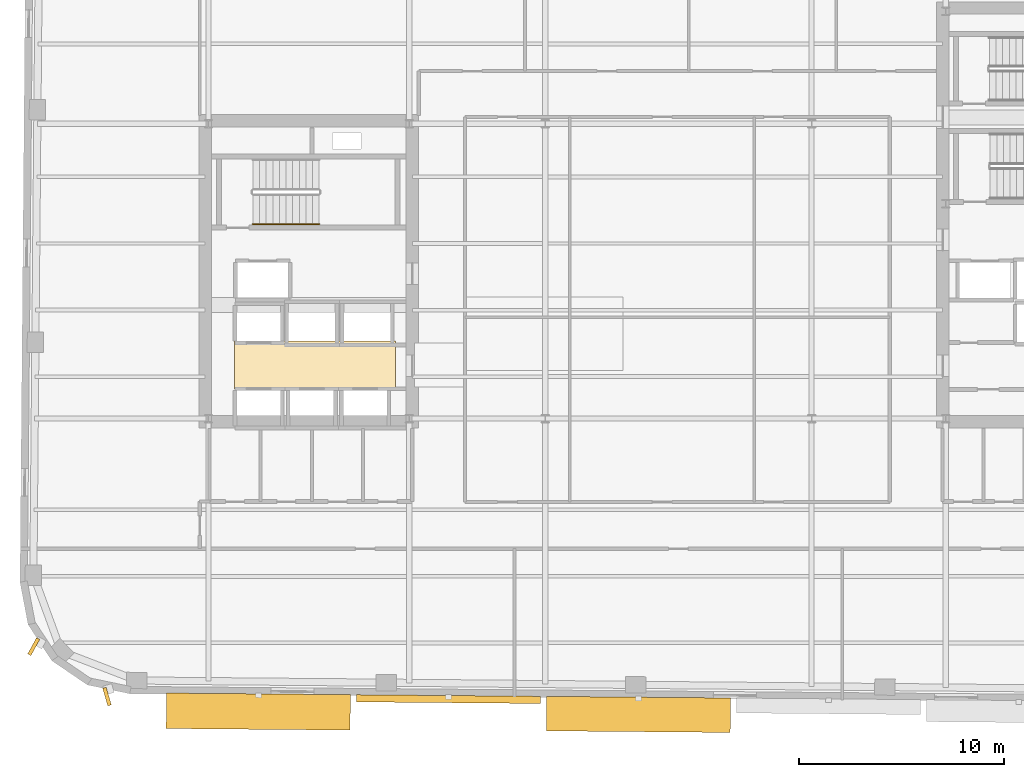
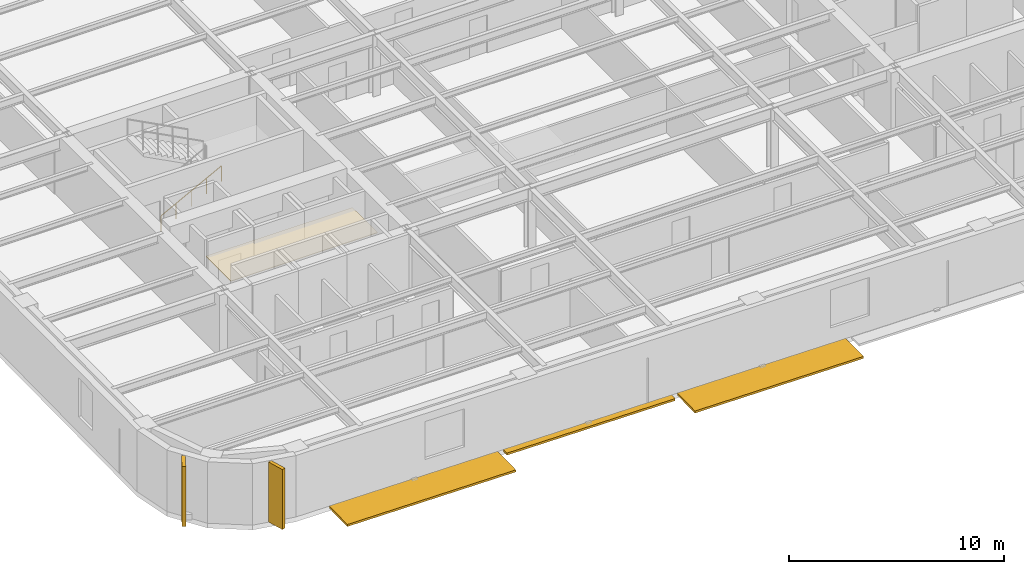
# One storey, part 8 of 12: 5 shading devices, 1 covering, 1 railing.
"""IFC4 building model written with IfcOpenShell, lengths in metres."""

import ifcopenshell
import ifcopenshell.guid

model = None  # the IFC model being written
_history = None  # IfcOwnerHistory: only IFC2X3 demands one
_inside = {}  # id of a spatial element -> (the spatial element, [elements in it])
_under = {}  # id of a project, library or spatial element -> (it, [spatial elements below it])
_declared = {}  # id of a project -> (the project, [libraries it declares])
_typed = {}  # id of a type object -> (the type object, [elements of that type])
_made_of = {}  # id of a material, layer set ... -> (it, [elements and type objects made of it])


def new_model(schema):
    """Start an empty IFC model of exactly this schema.

    Asked for "IFC4X3", IfcOpenShell would pick the latest addendum, in which some entities
    have other attributes; the version numbers below select the first issue.
    IFC2X3 requires an IfcOwnerHistory on every rooted entity: one is made here for all.
    """
    global model, _history
    if schema == "IFC4X3":
        model = ifcopenshell.file(schema_version=(4, 3, 0, 0))
    else:
        model = ifcopenshell.file(schema=schema)
    _inside.clear()
    _under.clear()
    _declared.clear()
    _typed.clear()
    _made_of.clear()
    _history = None
    if model.schema == "IFC2X3":
        org = make("IfcOrganization", Name="unknown")
        user = make(
            "IfcPersonAndOrganization",
            ThePerson=make("IfcPerson", FamilyName="unknown"),
            TheOrganization=org,
        )
        app = make(
            "IfcApplication",
            ApplicationDeveloper=org,
            Version="unknown",
            ApplicationFullName="unknown",
            ApplicationIdentifier="unknown",
        )
        _history = make(
            "IfcOwnerHistory",
            OwningUser=user,
            OwningApplication=app,
            ChangeAction="ADDED",
            CreationDate=0,
        )
    return model


def make(cls, **values):
    """One entity of the class cls with the attributes given. An attribute that is None is left unset."""
    return model.create_entity(
        cls, **{name: value for name, value in values.items() if value is not None}
    )


def rooted(cls, **values):
    """An entity with a GlobalId (a new one), such as an element, a storey or a relation."""
    return make(cls, GlobalId=ifcopenshell.guid.new(), OwnerHistory=_history, **values)


def si_unit(unit_type, name, prefix=None):
    """IfcSIUnit, for example si_unit("LENGTHUNIT", "METRE", prefix="MILLI")."""
    return make("IfcSIUnit", UnitType=unit_type, Prefix=prefix, Name=name)


def assignment(units):
    """IfcUnitAssignment: the units of a project."""
    return None if units is None else make("IfcUnitAssignment", Units=units)


def point(xyz):
    """IfcCartesianPoint."""
    return None if xyz is None else make("IfcCartesianPoint", Coordinates=xyz)


def direction(xyz):
    """IfcDirection."""
    return None if xyz is None else make("IfcDirection", DirectionRatios=xyz)


def frame(location, z_axis=None, x_axis=None):
    """IfcAxis2Placement3D, a coordinate frame: its origin and axes. An axis left out is left unset."""
    return make(
        "IfcAxis2Placement3D",
        Location=point(location),
        Axis=direction(z_axis),
        RefDirection=direction(x_axis),
    )


def frame_2d(location, x_axis=None):
    """IfcAxis2Placement2D, a coordinate frame in the plane: its origin and x axis."""
    return make(
        "IfcAxis2Placement2D", Location=point(location), RefDirection=direction(x_axis)
    )


def origin():
    """The frame at (0, 0, 0) with its axes left unset."""
    return frame((0.0, 0.0, 0.0))


def origin_2d():
    """The frame at (0, 0) in the plane with its x axis left unset."""
    return frame_2d((0.0, 0.0))


def place(relative_to, where):
    """IfcLocalPlacement: puts the frame where relative to a parent placement (None: the world)."""
    return make(
        "IfcLocalPlacement", PlacementRelTo=relative_to, RelativePlacement=where
    )


def context(
    kind, dimensions, precision=None, world=None, true_north=None, identifier=None
):
    """IfcGeometricRepresentationContext, for example the 3D "Model" context."""
    return make(
        "IfcGeometricRepresentationContext",
        ContextIdentifier=identifier,
        ContextType=kind,
        CoordinateSpaceDimension=dimensions,
        Precision=precision,
        WorldCoordinateSystem=world,
        TrueNorth=true_north,
    )


def subcontext(parent, identifier, kind, view, scale=None):
    """IfcGeometricRepresentationSubContext, for example "Body" below "Model"."""
    return make(
        "IfcGeometricRepresentationSubContext",
        ContextIdentifier=identifier,
        ContextType=kind,
        ParentContext=parent,
        TargetScale=scale,
        TargetView=view,
    )


def project(units=None, contexts=None):
    """IfcProject with its units and contexts."""
    return rooted(
        "IfcProject",
        Name="project",
        RepresentationContexts=contexts,
        UnitsInContext=assignment(units),
    )


def spatial(cls, under=None, at=None, **own):
    """A site, building, storey or space (cls), placed at a placement, below another one or the project."""
    s = rooted(cls, ObjectPlacement=at, **own)
    if under is not None:
        _under.setdefault(under.id(), (under, []))[1].append(s)
    return s


def polyline(points):
    """IfcPolyline through the points."""
    return make("IfcPolyline", Points=[point(p) for p in points])


def profile(cls, at=None, kind="AREA", **sizes):
    """A parametric profile (cls). Its sizes go by their IFC names, for example OverallWidth=200.0."""
    return make(cls, ProfileType=kind, Position=at, **sizes)


def rectangle(**sizes):
    """IfcRectangleProfileDef."""
    return profile("IfcRectangleProfileDef", **sizes)


def circle(**sizes):
    """IfcCircleProfileDef."""
    return profile("IfcCircleProfileDef", **sizes)


def outline(outer, holes=None, kind="AREA"):
    """IfcArbitraryClosedProfileDef: a profile drawn as a closed curve; with holes, ...WithVoids."""
    if holes is None:
        return make("IfcArbitraryClosedProfileDef", ProfileType=kind, OuterCurve=outer)
    return make(
        "IfcArbitraryProfileDefWithVoids",
        ProfileType=kind,
        OuterCurve=outer,
        InnerCurves=holes,
    )


def extrude(swept, where, along, depth):
    """IfcExtrudedAreaSolid: the profile swept, set in the frame where, extruded along a direction by depth."""
    return make(
        "IfcExtrudedAreaSolid",
        SweptArea=swept,
        Position=where,
        ExtrudedDirection=direction(along),
        Depth=depth,
    )


def shape(context_of_items, identifier, shape_type, items):
    """IfcShapeRepresentation: the items that make up one representation, for example the "Body"."""
    return make(
        "IfcShapeRepresentation",
        ContextOfItems=context_of_items,
        RepresentationIdentifier=identifier,
        RepresentationType=shape_type,
        Items=items,
    )


def material(Name=None, Category=None):
    """IfcMaterial."""
    return make("IfcMaterial", Name=Name, Category=Category)


def layer(
    of_material, thickness, ventilated=None, Name=None, Category=None, Priority=None
):
    """IfcMaterialLayer: one layer of a wall or slab, of a material (None: an air gap)."""
    return make(
        "IfcMaterialLayer",
        Material=of_material,
        LayerThickness=thickness,
        IsVentilated=ventilated,
        Name=Name,
        Category=Category,
        Priority=Priority,
    )


def layer_set(layers, Name=None):
    """IfcMaterialLayerSet."""
    return make("IfcMaterialLayerSet", MaterialLayers=layers, LayerSetName=Name)


def made_of(thing, what):
    """Note that an element or type object is made of a material, layer set ...; save() writes the relation."""
    if what is not None:
        _made_of.setdefault(what.id(), (what, []))[1].append(thing)
    return thing


def type_object(cls, material=None, **own):
    """A type object (cls), such as IfcWallType, which elements share."""
    return made_of(rooted(cls, **own), material)


def element(
    cls,
    number,
    at=None,
    inside=None,
    cuts=None,
    type_object=None,
    material=None,
    context=None,
    identifier="Body",
    shape_type=None,
    held_by="IfcProductDefinitionShape",
    body=None,
    shapes=None,
    **own,
):
    """One element of the class cls, such as IfcWall. Its Tag is "e" and its number.

    at: its placement. inside: the storey or other place that contains it. cuts: it is an
    opening in that element (IfcRelVoidsElement). A single representation is given by context,
    identifier, shape_type and body (its items); several are given by shapes. held_by: the class
    of the entity that holds the representations. save() writes the other relations.
    """
    e = rooted(cls, Tag="e%d" % number, ObjectPlacement=at, **own)
    if body is not None:
        shapes = [shape(context, identifier, shape_type, body)]
    if shapes is not None:
        e.Representation = make(held_by, Representations=shapes)
    if inside is not None:
        _inside.setdefault(inside.id(), (inside, []))[1].append(e)
    if cuts is not None:
        rooted(
            "IfcRelVoidsElement", RelatingBuildingElement=cuts, RelatedOpeningElement=e
        )
    if type_object is not None:
        _typed.setdefault(type_object.id(), (type_object, []))[1].append(e)
    return made_of(e, material)


def aggregate(whole, parts):
    """IfcRelAggregates: a whole, such as a stair, and the parts it consists of."""
    return rooted("IfcRelAggregates", RelatingObject=whole, RelatedObjects=parts)


def save(model, path):
    """Write the relations noted so far, then the file.

    IfcRelAggregates (storeys below a building ...), IfcRelContainedInSpatialStructure (elements
    in a storey), IfcRelDefinesByType, IfcRelAssociatesMaterial and IfcRelDeclares: one each for
    every whole, place, type object, material and project.
    """
    for whole, parts in _under.values():
        aggregate(whole, parts)
    for where, things in _inside.values():
        rooted(
            "IfcRelContainedInSpatialStructure",
            RelatedElements=things,
            RelatingStructure=where,
        )
    for kind, things in _typed.values():
        rooted("IfcRelDefinesByType", RelatedObjects=things, RelatingType=kind)
    for what, things in _made_of.values():
        rooted("IfcRelAssociatesMaterial", RelatedObjects=things, RelatingMaterial=what)
    for by, libraries in _declared.values():
        rooted("IfcRelDeclares", RelatingContext=by, RelatedDefinitions=libraries)
    model.write(path)


model = new_model("IFC4")

# Units and contexts
model_context = context("Model", 3, precision=1e-05, world=origin(), true_north=direction((0.0, 1.0)))
body_context = subcontext(model_context, "Body", "Model", "MODEL_VIEW")
ifc_project = project(units=[si_unit("LENGTHUNIT", "METRE"), si_unit("AREAUNIT", "SQUARE_METRE"), si_unit("VOLUMEUNIT", "CUBIC_METRE"), si_unit("PLANEANGLEUNIT", "RADIAN"), si_unit("MASSUNIT", "GRAM", prefix="KILO")], contexts=[model_context])

# Site, building, storey
site_placement = place(None, origin())
site = spatial("IfcSite", under=ifc_project, at=site_placement, CompositionType="ELEMENT")
building_placement = place(site_placement, origin())
building = spatial("IfcBuilding", under=site, at=building_placement, Name="Kolvaren Arena Tower", CompositionType="ELEMENT")
storey_placement = place(building_placement, frame((0.0, 0.0, 188.449951171875)))
storey = spatial("IfcBuildingStorey", under=building, at=storey_placement, Name="L45", CompositionType="ELEMENT", Elevation=188.449951171875)

# Covering
ifc_material_1 = material(Name="Moisture-resistant gypsum ceiling", Category="gypsum")
ifc_layer = layer(ifc_material_1, 0.030029296875)
ifc_layer_set = layer_set([ifc_layer], Name="Moisture-resistant gypsum ceiling")
covering_type = type_object("IfcCoveringType", Name="CEIL-GYP-1", PredefinedType="CEILING", material=ifc_layer_set)
covering_placement = place(storey_placement, frame((0.0, 0.0, 2.52001953125)))
element("IfcCovering", 1, at=covering_placement, inside=storey, type_object=covering_type, Name="Suspended Ceiling (L45)", PredefinedType="CEILING", context=body_context, shape_type="SweptSolid", body=[
    extrude(outline(polyline([(15.820068359375, 20.89990234375), (15.820068359375, 23.239990234375), (23.679931640625, 23.239990234375), (23.679931640625, 20.89990234375), (15.820068359375, 20.89990234375)])), origin(), (0.0, 0.0, 1.0), 0.030029296875),
])

# Railing
ifc_material_2 = material(Name="Brushed stainless steel handrail", Category="steel")
railing_type = type_object("IfcRailingType", Name="HRAIL-900", PredefinedType="HANDRAIL", material=ifc_material_2)
railing_placement = place(storey_placement, frame((16.719970703125, 28.949951171875, 0.17041015625)))
element("IfcRailing", 2, at=railing_placement, inside=storey, type_object=railing_type, Name="L45 ST-W1 stair handrail 1", PredefinedType="HANDRAIL", context=body_context, shape_type="SweptSolid", body=[
    extrude(circle(Radius=0.02392578125, at=origin_2d()), frame((0.0, 0.0, 0.8759765625), z_axis=(0.884993431791, 0.0, 0.465603506952), x_axis=(0.0, 1.0, 0.0)), (0.0, 0.0, 1.0), 3.6611328125),
    extrude(circle(Radius=0.02099609375, at=origin_2d()), origin(), (0.0, 0.0, 1.0), 0.851806640625),
    extrude(circle(Radius=0.02099609375, at=origin_2d()), frame((0.81005859375, 0.0, 0.42626953125)), (0.0, 0.0, 1.0), 0.851806640625),
    extrude(circle(Radius=0.02099609375, at=origin_2d()), frame((1.6201171875, 0.0, 0.852294921875)), (0.0, 0.0, 1.0), 0.851806640625),
    extrude(circle(Radius=0.02099609375, at=origin_2d()), frame((2.429931640625, 0.0, 1.2783203125)), (0.0, 0.0, 1.0), 0.851806640625),
    extrude(circle(Radius=0.02099609375, at=origin_2d()), frame((3.239990234375, 0.0, 1.70458984375)), (0.0, 0.0, 1.0), 0.851806640625),
])

# Shading devices
ifc_material_3 = material(Name="Precast architectural concrete C50/60 rib fin", Category="concrete")
shading_device_type_1 = type_object("IfcShadingDeviceType", Name="SHAD-FIN-28", PredefinedType="USERDEFINED", material=ifc_material_3)
for number, where, z_axis, x_axis, name in (
    (3, (6.018798828125, 8.31494140625, 0.02001953125), (0.0, 0.0, 1.0), (-0.480994889615, -0.876723397751, 0.0), "Precast 28-Deg Corner Rib Fin (L45)"),
    (4, (9.597412109375, 5.87841796875, 0.02001953125), (0.0, 0.0, 1.0), (0.279812257957, -0.960054738177, 0.0), "Precast 28-Deg Corner Rib Fin (L45)"),
):
    element("IfcShadingDevice", number, at=place(storey_placement, frame(where, z_axis=z_axis, x_axis=x_axis)), inside=storey, type_object=shading_device_type_1, Name=name, ObjectType="FIN", PredefinedType="USERDEFINED", context=body_context, shape_type="SweptSolid", body=[
        extrude(rectangle(XDim=0.89990234375, YDim=0.179931640625, at=origin_2d()), origin(), (0.0, 0.0, 1.0), 3.39990234375),
    ])
ifc_material_4 = material(Name="Architectural precast GFRC and anodised aluminium sunshade", Category="concrete")
shading_device_type_2 = type_object("IfcShadingDeviceType", Name="SHAD-SINE-A", PredefinedType="USERDEFINED", material=ifc_material_4)
shading_device_1_placement = place(storey_placement, frame((26.270263671875, 5.754638671875, -0.139892578125), z_axis=(0.0, 0.0, 1.0), x_axis=(-0.999961923064, 0.008726535498, 0.0)))
element("IfcShadingDevice", 5, at=shading_device_1_placement, inside=storey, type_object=shading_device_type_2, Name="Sinusoidal Slab-Edge Sunshade Louvre (L45)", ObjectType="LOUVRE", PredefinedType="USERDEFINED", context=body_context, shape_type="SweptSolid", body=[
    extrude(rectangle(XDim=8.97998046875, YDim=0.3515625, at=origin_2d()), origin(), (0.0, 0.0, 1.0), 0.1201171875),
])
shading_device_type_3 = type_object("IfcShadingDeviceType", Name="SHAD-SINE-B", PredefinedType="JALOUSIE", material=ifc_material_4)
shading_device_2_placement = place(storey_placement, frame((35.544189453125, 5.0068359375, -0.139892578125), z_axis=(0.0, 0.0, 1.0), x_axis=(-0.999961923064, 0.008726535498, 0.0)))
element("IfcShadingDevice", 6, at=shading_device_2_placement, inside=storey, type_object=shading_device_type_3, Name="Sinusoidal Slab-Edge Sunshade Louvre (L45)", PredefinedType="JALOUSIE", context=body_context, shape_type="SweptSolid", body=[
    extrude(rectangle(XDim=8.97998046875, YDim=1.685546875, at=origin_2d()), origin(), (0.0, 0.0, 1.0), 0.1201171875),
])
shading_device_3_placement = place(storey_placement, frame((16.984619140625, 5.1455078125, -0.139892578125), z_axis=(0.0, 0.0, 1.0), x_axis=(-0.999961923064, 0.008726535498, 0.0)))
element("IfcShadingDevice", 7, at=shading_device_3_placement, inside=storey, type_object=shading_device_type_3, Name="Sinusoidal Slab-Edge Sunshade Louvre (L45)", PredefinedType="JALOUSIE", context=body_context, shape_type="SweptSolid", body=[
    extrude(rectangle(XDim=8.97998046875, YDim=1.732177734375, at=origin_2d()), origin(), (0.0, 0.0, 1.0), 0.1201171875),
])

save(model, "model.ifc")
